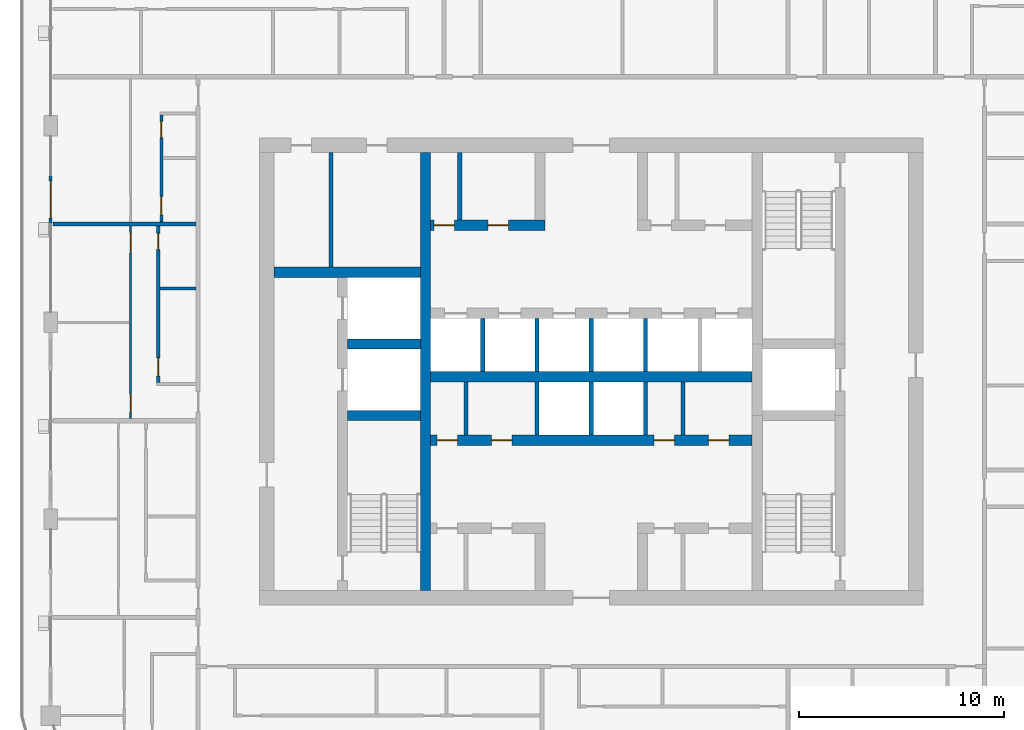
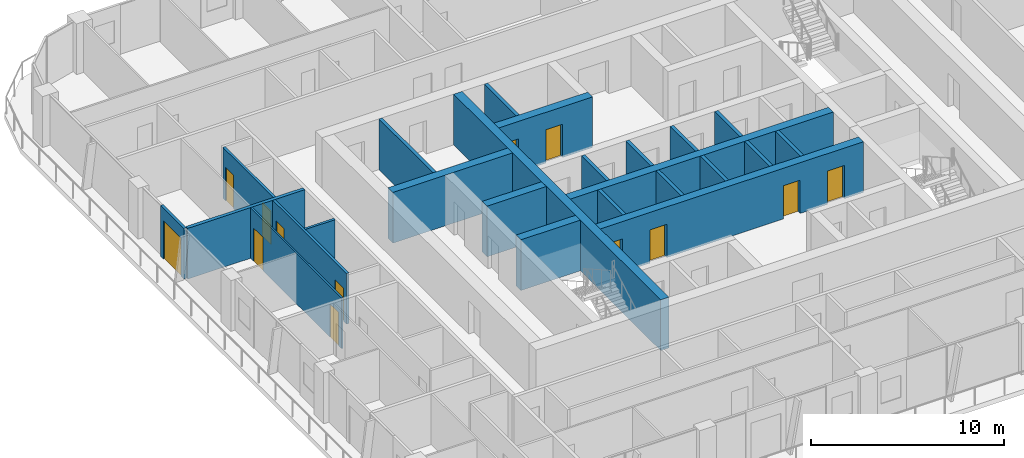
# One storey, part 11 of 23: 24 walls, 13 doors, 13 openings.
"""IFC4 building model written with IfcOpenShell, lengths in metres."""

from ifc_helpers import new_model, si_unit, direction, frame, frame_2d, origin, place, context, subcontext, project, spatial, rectangle, extrude, material, layer, layer_set, type_object, element, fill, save


model = new_model("IFC4")

# Units and contexts
model_context = context("Model", 3, precision=1e-05, world=origin(), true_north=direction((0.0, 1.0)))
body_context = subcontext(model_context, "Body", "Model", "MODEL_VIEW")
ifc_project = project(units=[si_unit("LENGTHUNIT", "METRE"), si_unit("AREAUNIT", "SQUARE_METRE"), si_unit("VOLUMEUNIT", "CUBIC_METRE"), si_unit("PLANEANGLEUNIT", "RADIAN"), si_unit("MASSUNIT", "GRAM", prefix="KILO")], contexts=[model_context])

# Site, building, storey
site_placement = place(None, origin())
site = spatial("IfcSite", under=ifc_project, at=site_placement, CompositionType="ELEMENT")
building_placement = place(site_placement, origin())
building = spatial("IfcBuilding", under=site, at=building_placement, Name="Madar Terraces", CompositionType="ELEMENT")
storey_placement = place(building_placement, frame((0.0, 0.0, 212.300048828125)))
storey = spatial("IfcBuildingStorey", under=building, at=storey_placement, Name="L55", CompositionType="ELEMENT", Elevation=212.300048828125)

# Walls
ifc_material_1 = material(Name="Concrete C60/75", Category="concrete")
ifc_layer_1 = layer(ifc_material_1, 0.5)
ifc_layer_set_1 = layer_set([ifc_layer_1], Name="Concrete C60/75 (CIW4 RC wall 500)")
wall_type_1 = type_object("IfcWallType", Name="CIW4 RC wall 500", PredefinedType="SHEAR", material=ifc_layer_set_1)
wall_1_placement = place(storey_placement, frame((23.10009765625, 15.699951171875, 0.0), z_axis=(0.0, 0.0, 1.0), x_axis=(0.0, 1.0, 0.0)))
element("IfcWall", 1, at=wall_1_placement, inside=storey, type_object=wall_type_1, Name="CORE SHAFT WALL", PredefinedType="SHEAR", context=body_context, shape_type="SweptSolid", body=[
    extrude(rectangle(XDim=21.400146484375, YDim=0.5, at=frame_2d((10.7001953125, 0.0))), origin(), (0.0, 0.0, 1.0), 3.199951171875),
])
for number, where, z_axis, x_axis, name in (
    (2, (19.300048828125, 24.25, 0.0), (0.0, 0.0, 1.0), (1.0, 0.0, 0.0), "CORE SHAFT WALL"),
    (3, (19.300048828125, 27.75, 0.0), (0.0, 0.0, 1.0), (1.0, 0.0, 0.0), "CORE SHAFT WALL"),
):
    element("IfcWall", number, at=place(storey_placement, frame(where, z_axis=z_axis, x_axis=x_axis)), inside=storey, type_object=wall_type_1, Name=name, PredefinedType="SHEAR", context=body_context, shape_type="SweptSolid", body=[
        extrude(rectangle(XDim=3.550048828125, YDim=0.5, at=frame_2d((1.77490234375, 0.0))), origin(), (0.0, 0.0, 1.0), 3.199951171875),
    ])
wall_2_placement = place(storey_placement, frame((15.699951171875, 31.25, 0.0), z_axis=(0.0, 0.0, 1.0), x_axis=(1.0, 0.0, 0.0)))
element("IfcWall", 4, at=wall_2_placement, inside=storey, type_object=wall_type_1, Name="CORE SHAFT WALL", PredefinedType="SHEAR", context=body_context, shape_type="SweptSolid", body=[
    extrude(rectangle(XDim=7.150146484375, YDim=0.5, at=frame_2d((3.5751953125, 0.0))), origin(), (0.0, 0.0, 1.0), 3.199951171875),
])

# Wall, openings, doors
wall_3_placement = place(storey_placement, frame((23.35009765625, 23.050048828125, 0.0), z_axis=(0.0, 0.0, 1.0), x_axis=(1.0, 0.0, 0.0)))
wall_3 = element("IfcWall", 5, at=wall_3_placement, inside=storey, type_object=wall_type_1, Name="CORE SHAFT WALL", PredefinedType="SHEAR", context=body_context, shape_type="SweptSolid", body=[
    extrude(rectangle(XDim=15.699951171875, YDim=0.5, at=frame_2d((7.85009765625, 0.0))), origin(), (0.0, 0.0, 1.0), 3.199951171875),
])
opening_1_placement = place(wall_3_placement, frame((0.31689453125, 0.0, 0.0)))
opening_1 = element("IfcOpeningElement", 6, at=opening_1_placement, cuts=wall_3, Name="Opening KD2", PredefinedType="OPENING", context=body_context, shape_type="SweptSolid", body=[
    extrude(rectangle(XDim=1.0, YDim=2.10009765625, at=frame_2d((0.5, 1.050048828125))), frame((0.0, 0.260009765625, 0.0), z_axis=(0.0, -1.0, 0.0), x_axis=(1.0, 0.0, 0.0)), (0.0, 0.0, 1.0), 0.52001953125),
])
opening_2_placement = place(wall_3_placement, frame((2.967041015625, 0.0, 0.0)))
opening_2 = element("IfcOpeningElement", 7, at=opening_2_placement, cuts=wall_3, Name="Opening KD2", PredefinedType="OPENING", context=body_context, shape_type="SweptSolid", body=[
    extrude(rectangle(XDim=1.0, YDim=2.10009765625, at=frame_2d((0.5, 1.050048828125))), frame((0.0, 0.260009765625, 0.0), z_axis=(0.0, -1.0, 0.0), x_axis=(1.0, 0.0, 0.0)), (0.0, 0.0, 1.0), 0.52001953125),
])
opening_3_placement = place(wall_3_placement, frame((10.9169921875, 0.0, 0.0)))
opening_3 = element("IfcOpeningElement", 8, at=opening_3_placement, cuts=wall_3, Name="Opening KD2", PredefinedType="OPENING", context=body_context, shape_type="SweptSolid", body=[
    extrude(rectangle(XDim=1.0, YDim=2.10009765625, at=frame_2d((0.5, 1.050048828125))), frame((0.0, 0.260009765625, 0.0), z_axis=(0.0, -1.0, 0.0), x_axis=(1.0, 0.0, 0.0)), (0.0, 0.0, 1.0), 0.52001953125),
])
opening_4_placement = place(wall_3_placement, frame((13.56689453125, 0.0, 0.0)))
opening_4 = element("IfcOpeningElement", 9, at=opening_4_placement, cuts=wall_3, Name="Opening KD2", PredefinedType="OPENING", context=body_context, shape_type="SweptSolid", body=[
    extrude(rectangle(XDim=1.0, YDim=2.10009765625, at=frame_2d((0.5, 1.050048828125))), frame((0.0, 0.260009765625, 0.0), z_axis=(0.0, -1.0, 0.0), x_axis=(1.0, 0.0, 0.0)), (0.0, 0.0, 1.0), 0.52001953125),
])
ifc_material_2 = material(Name="Steel door leaf", Category="steel")
door_type_1 = type_object("IfcDoorType", Name="Service room door 1000 x 2100", OperationType="NOTDEFINED", PredefinedType="DOOR", material=ifc_material_2)
door_1_placement = place(opening_1_placement, frame((1.0, 0.0, 0.0), z_axis=(0.0, 0.0, 1.0), x_axis=(-1.0, 0.0, 0.0)))
door_1 = element("IfcDoor", 10, at=door_1_placement, inside=storey, type_object=door_type_1, Name="SERVICE ROOM DOOR", OperationType="SINGLE_SWING_RIGHT", OverallHeight=2.10009765625, OverallWidth=1.0, PredefinedType="DOOR", context=body_context, shape_type="SweptSolid", body=[
    extrude(rectangle(XDim=1.0, YDim=2.10009765625, at=frame_2d((0.5, 1.050048828125))), frame((0.0, 0.02490234375, 0.0), z_axis=(0.0, -1.0, 0.0), x_axis=(1.0, 0.0, 0.0)), (0.0, 0.0, 1.0), 0.050048828125),
])
fill(opening_1, door_1)
door_2_placement = place(opening_2_placement, frame((1.0, 0.0, 0.0), z_axis=(0.0, 0.0, 1.0), x_axis=(-1.0, 0.0, 0.0)))
door_2 = element("IfcDoor", 11, at=door_2_placement, inside=storey, type_object=door_type_1, Name="SERVICE ROOM DOOR", OperationType="SINGLE_SWING_LEFT", OverallHeight=2.10009765625, OverallWidth=1.0, PredefinedType="DOOR", context=body_context, shape_type="SweptSolid", body=[
    extrude(rectangle(XDim=1.0, YDim=2.10009765625, at=frame_2d((0.5, 1.050048828125))), frame((0.0, 0.02490234375, 0.0), z_axis=(0.0, -1.0, 0.0), x_axis=(1.0, 0.0, 0.0)), (0.0, 0.0, 1.0), 0.050048828125),
])
fill(opening_2, door_2)
door_3_placement = place(opening_3_placement, frame((1.0, 0.0, 0.0), z_axis=(0.0, 0.0, 1.0), x_axis=(-1.0, 0.0, 0.0)))
door_3 = element("IfcDoor", 12, at=door_3_placement, inside=storey, type_object=door_type_1, Name="SERVICE ROOM DOOR", OperationType="SINGLE_SWING_RIGHT", OverallHeight=2.10009765625, OverallWidth=1.0, PredefinedType="DOOR", context=body_context, shape_type="SweptSolid", body=[
    extrude(rectangle(XDim=1.0, YDim=2.10009765625, at=frame_2d((0.5, 1.050048828125))), frame((0.0, 0.02490234375, 0.0), z_axis=(0.0, -1.0, 0.0), x_axis=(1.0, 0.0, 0.0)), (0.0, 0.0, 1.0), 0.050048828125),
])
fill(opening_3, door_3)
door_4_placement = place(opening_4_placement, frame((1.0, 0.0, 0.0), z_axis=(0.0, 0.0, 1.0), x_axis=(-1.0, 0.0, 0.0)))
door_4 = element("IfcDoor", 13, at=door_4_placement, inside=storey, type_object=door_type_1, Name="SERVICE ROOM DOOR", OperationType="SINGLE_SWING_LEFT", OverallHeight=2.10009765625, OverallWidth=1.0, PredefinedType="DOOR", context=body_context, shape_type="SweptSolid", body=[
    extrude(rectangle(XDim=1.0, YDim=2.10009765625, at=frame_2d((0.5, 1.050048828125))), frame((0.0, 0.02490234375, 0.0), z_axis=(0.0, -1.0, 0.0), x_axis=(1.0, 0.0, 0.0)), (0.0, 0.0, 1.0), 0.050048828125),
])
fill(opening_4, door_4)

# Wall
wall_4_placement = place(storey_placement, frame((23.35009765625, 26.14990234375, 0.0), z_axis=(0.0, 0.0, 1.0), x_axis=(1.0, 0.0, 0.0)))
element("IfcWall", 14, at=wall_4_placement, inside=storey, type_object=wall_type_1, Name="CORE SHAFT WALL", PredefinedType="SHEAR", context=body_context, shape_type="SweptSolid", body=[
    extrude(rectangle(XDim=15.699951171875, YDim=0.5, at=frame_2d((7.85009765625, 0.0))), origin(), (0.0, 0.0, 1.0), 3.199951171875),
])

# Wall, openings, doors
wall_5_placement = place(storey_placement, frame((23.35009765625, 33.550048828125, 0.0), z_axis=(0.0, 0.0, 1.0), x_axis=(1.0, 0.0, 0.0)))
wall_5 = element("IfcWall", 15, at=wall_5_placement, inside=storey, type_object=wall_type_1, Name="CORE SHAFT WALL", PredefinedType="SHEAR", context=body_context, shape_type="SweptSolid", body=[
    extrude(rectangle(XDim=5.599853515625, YDim=0.5, at=frame_2d((2.7998046875, 0.0))), origin(), (0.0, 0.0, 1.0), 3.199951171875),
])
opening_5_placement = place(wall_5_placement, frame((0.1640625, 0.0, 0.0)))
opening_5 = element("IfcOpeningElement", 16, at=opening_5_placement, cuts=wall_5, Name="Opening KD2", PredefinedType="OPENING", context=body_context, shape_type="SweptSolid", body=[
    extrude(rectangle(XDim=1.0, YDim=2.10009765625, at=frame_2d((0.5, 1.050048828125))), frame((0.0, 0.260009765625, 0.0), z_axis=(0.0, -1.0, 0.0), x_axis=(1.0, 0.0, 0.0)), (0.0, 0.0, 1.0), 0.52001953125),
])
opening_6_placement = place(wall_5_placement, frame((2.81396484375, 0.0, 0.0)))
opening_6 = element("IfcOpeningElement", 17, at=opening_6_placement, cuts=wall_5, Name="Opening KD2", PredefinedType="OPENING", context=body_context, shape_type="SweptSolid", body=[
    extrude(rectangle(XDim=1.0, YDim=2.10009765625, at=frame_2d((0.5, 1.050048828125))), frame((0.0, 0.260009765625, 0.0), z_axis=(0.0, -1.0, 0.0), x_axis=(1.0, 0.0, 0.0)), (0.0, 0.0, 1.0), 0.52001953125),
])
door_5_placement = place(opening_5_placement, frame((1.0, 0.0, 0.0), z_axis=(0.0, 0.0, 1.0), x_axis=(-1.0, 0.0, 0.0)))
door_5 = element("IfcDoor", 18, at=door_5_placement, inside=storey, type_object=door_type_1, Name="SERVICE ROOM DOOR", OperationType="SINGLE_SWING_RIGHT", OverallHeight=2.10009765625, OverallWidth=1.0, PredefinedType="DOOR", context=body_context, shape_type="SweptSolid", body=[
    extrude(rectangle(XDim=1.0, YDim=2.10009765625, at=frame_2d((0.5, 1.050048828125))), frame((0.0, 0.02490234375, 0.0), z_axis=(0.0, -1.0, 0.0), x_axis=(1.0, 0.0, 0.0)), (0.0, 0.0, 1.0), 0.050048828125),
])
fill(opening_5, door_5)
door_6_placement = place(opening_6_placement, frame((1.0, 0.0, 0.0), z_axis=(0.0, 0.0, 1.0), x_axis=(-1.0, 0.0, 0.0)))
door_6 = element("IfcDoor", 19, at=door_6_placement, inside=storey, type_object=door_type_1, Name="SERVICE ROOM DOOR", OperationType="SINGLE_SWING_LEFT", OverallHeight=2.10009765625, OverallWidth=1.0, PredefinedType="DOOR", context=body_context, shape_type="SweptSolid", body=[
    extrude(rectangle(XDim=1.0, YDim=2.10009765625, at=frame_2d((0.5, 1.050048828125))), frame((0.0, 0.02490234375, 0.0), z_axis=(0.0, -1.0, 0.0), x_axis=(1.0, 0.0, 0.0)), (0.0, 0.0, 1.0), 0.050048828125),
])
fill(opening_6, door_6)

# Walls
ifc_material_3 = material(Name="Masonry blockwork", Category="masonry")
ifc_layer_2 = layer(ifc_material_3, 0.199951171875)
ifc_layer_set_2 = layer_set([ifc_layer_2], Name="Core partition 200 blockwork")
wall_type_2 = type_object("IfcWallType", Name="Core partition 200 blockwork", PredefinedType="PARTITIONING", material=ifc_layer_set_2)
wall_6_placement = place(storey_placement, frame((18.488525390625, 31.5, 0.0), z_axis=(0.0, 0.0, 1.0), x_axis=(0.0, 1.0, 0.0)))
element("IfcWall", 20, at=wall_6_placement, inside=storey, type_object=wall_type_2, Name="SERVICE ROOM PARTITION", PredefinedType="PARTITIONING", context=body_context, shape_type="SweptSolid", body=[
    extrude(rectangle(XDim=5.60009765625, YDim=0.199951171875, at=frame_2d((2.800048828125, 0.0))), origin(), (0.0, 0.0, 1.0), 3.199951171875),
])
for number, where, z_axis, x_axis, name in (
    (21, (25.083984375, 23.300048828125, 0.0), (0.0, 0.0, 1.0), (0.0, 1.0, 0.0), "SERVICE ROOM PARTITION"),
    (22, (35.68408203125, 23.300048828125, 0.0), (0.0, 0.0, 1.0), (0.0, 1.0, 0.0), "SERVICE ROOM PARTITION"),
):
    element("IfcWall", number, at=place(storey_placement, frame(where, z_axis=z_axis, x_axis=x_axis)), inside=storey, type_object=wall_type_2, Name=name, PredefinedType="PARTITIONING", context=body_context, shape_type="SweptSolid", body=[
        extrude(rectangle(XDim=2.599853515625, YDim=0.199951171875, at=frame_2d((1.2998046875, 0.0))), origin(), (0.0, 0.0, 1.0), 3.199951171875),
    ])
wall_7_placement = place(storey_placement, frame((24.778076171875, 33.800048828125, 0.0), z_axis=(0.0, 0.0, 1.0), x_axis=(0.0, 1.0, 0.0)))
element("IfcWall", 23, at=wall_7_placement, inside=storey, type_object=wall_type_2, Name="SERVICE ROOM PARTITION", PredefinedType="PARTITIONING", context=body_context, shape_type="SweptSolid", body=[
    extrude(rectangle(XDim=3.300048828125, YDim=0.199951171875, at=frame_2d((1.64990234375, 0.0))), origin(), (0.0, 0.0, 1.0), 3.199951171875),
])
ifc_material_4 = material(Name="Concrete C40/50", Category="concrete")
ifc_layer_3 = layer(ifc_material_4, 0.199951171875)
ifc_layer_set_3 = layer_set([ifc_layer_3], Name="Core shaft dividing wall 200 C40/50")
wall_type_3 = type_object("IfcWallType", Name="Core shaft dividing wall 200 C40/50", PredefinedType="SOLIDWALL", material=ifc_layer_set_3)
wall_8_placement = place(storey_placement, frame((25.89990234375, 26.39990234375, 0.0), z_axis=(0.0, 0.0, 1.0), x_axis=(0.0, 1.0, 0.0)))
element("IfcWall", 24, at=wall_8_placement, inside=storey, type_object=wall_type_3, Name="SHAFT DIVIDING WALL", PredefinedType="SOLIDWALL", context=body_context, shape_type="SweptSolid", body=[
    extrude(rectangle(XDim=2.60009765625, YDim=0.199951171875, at=frame_2d((1.300048828125, 0.0))), origin(), (0.0, 0.0, 1.0), 3.199951171875),
])
wall_9_placement = place(storey_placement, frame((28.550048828125, 23.300048828125, 0.0), z_axis=(0.0, 0.0, 1.0), x_axis=(0.0, 1.0, 0.0)))
element("IfcWall", 25, at=wall_9_placement, inside=storey, type_object=wall_type_3, Name="SHAFT DIVIDING WALL", PredefinedType="SOLIDWALL", context=body_context, shape_type="SweptSolid", body=[
    extrude(rectangle(XDim=2.599853515625, YDim=0.199951171875, at=frame_2d((1.2998046875, 0.0))), origin(), (0.0, 0.0, 1.0), 3.199951171875),
])
wall_10_placement = place(storey_placement, frame((28.550048828125, 26.39990234375, 0.0), z_axis=(0.0, 0.0, 1.0), x_axis=(0.0, 1.0, 0.0)))
element("IfcWall", 26, at=wall_10_placement, inside=storey, type_object=wall_type_3, Name="SHAFT DIVIDING WALL", PredefinedType="SOLIDWALL", context=body_context, shape_type="SweptSolid", body=[
    extrude(rectangle(XDim=2.60009765625, YDim=0.199951171875, at=frame_2d((1.300048828125, 0.0))), origin(), (0.0, 0.0, 1.0), 3.199951171875),
])
wall_11_placement = place(storey_placement, frame((31.199951171875, 23.300048828125, 0.0), z_axis=(0.0, 0.0, 1.0), x_axis=(0.0, 1.0, 0.0)))
element("IfcWall", 27, at=wall_11_placement, inside=storey, type_object=wall_type_3, Name="SHAFT DIVIDING WALL", PredefinedType="SOLIDWALL", context=body_context, shape_type="SweptSolid", body=[
    extrude(rectangle(XDim=2.599853515625, YDim=0.199951171875, at=frame_2d((1.2998046875, 0.0))), origin(), (0.0, 0.0, 1.0), 3.199951171875),
])
wall_12_placement = place(storey_placement, frame((31.199951171875, 26.39990234375, 0.0), z_axis=(0.0, 0.0, 1.0), x_axis=(0.0, 1.0, 0.0)))
element("IfcWall", 28, at=wall_12_placement, inside=storey, type_object=wall_type_3, Name="SHAFT DIVIDING WALL", PredefinedType="SOLIDWALL", context=body_context, shape_type="SweptSolid", body=[
    extrude(rectangle(XDim=2.60009765625, YDim=0.199951171875, at=frame_2d((1.300048828125, 0.0))), origin(), (0.0, 0.0, 1.0), 3.199951171875),
])
wall_13_placement = place(storey_placement, frame((33.85009765625, 23.300048828125, 0.0), z_axis=(0.0, 0.0, 1.0), x_axis=(0.0, 1.0, 0.0)))
element("IfcWall", 29, at=wall_13_placement, inside=storey, type_object=wall_type_3, Name="SHAFT DIVIDING WALL", PredefinedType="SOLIDWALL", context=body_context, shape_type="SweptSolid", body=[
    extrude(rectangle(XDim=2.599853515625, YDim=0.199951171875, at=frame_2d((1.2998046875, 0.0))), origin(), (0.0, 0.0, 1.0), 3.199951171875),
])
wall_14_placement = place(storey_placement, frame((33.85009765625, 26.39990234375, 0.0), z_axis=(0.0, 0.0, 1.0), x_axis=(0.0, 1.0, 0.0)))
element("IfcWall", 30, at=wall_14_placement, inside=storey, type_object=wall_type_3, Name="SHAFT DIVIDING WALL", PredefinedType="SOLIDWALL", context=body_context, shape_type="SweptSolid", body=[
    extrude(rectangle(XDim=2.60009765625, YDim=0.199951171875, at=frame_2d((1.300048828125, 0.0))), origin(), (0.0, 0.0, 1.0), 3.199951171875),
])

# Wall, opening, door
ifc_material_5 = material(Name="Aluminium composite panel, black, over insulated backing", Category="aluminium")
ifc_layer_4 = layer(ifc_material_5, 0.14990234375)
ifc_layer_set_4 = layer_set([ifc_layer_4], Name="Facade bay panel 150")
wall_type_4 = type_object("IfcWallType", Name="Facade bay panel 150", PredefinedType="SOLIDWALL", material=ifc_layer_set_4)
wall_15_placement = place(storey_placement, frame((4.800048828125, 36.0, 0.0), z_axis=(0.0, 0.0, 1.0), x_axis=(0.0, -1.0, 0.0)))
wall_15 = element("IfcWall", 31, at=wall_15_placement, inside=storey, type_object=wall_type_4, Name="Facade bay panel", PredefinedType="SOLIDWALL", context=body_context, shape_type="SweptSolid", body=[
    extrude(rectangle(XDim=2.39990234375, YDim=0.14990234375, at=frame_2d((1.199951171875, 0.0))), origin(), (0.0, 0.0, 1.0), 3.199951171875),
])
opening_7_placement = place(wall_15_placement, frame((0.300048828125, 0.0, 0.0)))
opening_7 = element("IfcOpeningElement", 32, at=opening_7_placement, cuts=wall_15, Name="Opening ED1", PredefinedType="OPENING", context=body_context, shape_type="SweptSolid", body=[
    extrude(rectangle(XDim=1.800048828125, YDim=2.39990234375, at=frame_2d((0.89990234375, 1.199951171875))), frame((0.0, 0.0849609375, 0.0), z_axis=(0.0, -1.0, 0.0), x_axis=(1.0, 0.0, 0.0)), (0.0, 0.0, 1.0), 0.169921875),
])
ifc_material_6 = material(Name="Glass, clear, with black aluminium frame", Category="aluminium")
door_type_2 = type_object("IfcDoorType", Name="Balcony and terrace sliding door 1800 x 2400", OperationType="SLIDING_TO_LEFT", PredefinedType="DOOR", material=ifc_material_6)
door_7_placement = place(opening_7_placement, origin())
door_7 = element("IfcDoor", 33, at=door_7_placement, inside=storey, type_object=door_type_2, Name="Balcony door", OperationType="SLIDING_TO_LEFT", OverallHeight=2.39990234375, OverallWidth=1.800048828125, PredefinedType="DOOR", context=body_context, shape_type="SweptSolid", body=[
    extrude(rectangle(XDim=1.800048828125, YDim=2.39990234375, at=frame_2d((0.89990234375, 1.199951171875))), frame((0.0, 0.02490234375, 0.0), z_axis=(0.0, -1.0, 0.0), x_axis=(1.0, 0.0, 0.0)), (0.0, 0.0, 1.0), 0.050048828125),
])
fill(opening_7, door_7)

# Wall, openings, doors
ifc_material_7 = material(Name="Gypsum board on steel studs", Category="steel")
ifc_layer_5 = layer(ifc_material_7, 0.10009765625)
ifc_layer_set_5 = layer_set([ifc_layer_5], Name="Flat partition 100")
wall_type_5 = type_object("IfcWallType", Name="Flat partition 100", PredefinedType="PARTITIONING", material=ifc_layer_set_5)
wall_16_placement = place(storey_placement, frame((8.699951171875, 24.10009765625, 0.0), z_axis=(0.0, 0.0, 1.0), x_axis=(0.0, 1.0, 0.0)))
wall_16 = element("IfcWall", 34, at=wall_16_placement, inside=storey, type_object=wall_type_5, Name="Flat partition 100", PredefinedType="PARTITIONING", context=body_context, shape_type="SweptSolid", body=[
    extrude(rectangle(XDim=9.39990234375, YDim=0.10009765625, at=frame_2d((4.699951171875, 0.0))), origin(), (0.0, 0.0, 1.0), 3.199951171875),
])
opening_8_placement = place(wall_16_placement, frame((0.300048828125, 0.0, 0.0)))
opening_8 = element("IfcOpeningElement", 35, at=opening_8_placement, cuts=wall_16, Name="Opening D2", PredefinedType="OPENING", context=body_context, shape_type="SweptSolid", body=[
    extrude(rectangle(XDim=0.89990234375, YDim=2.10009765625, at=frame_2d((0.449951171875, 1.050048828125))), frame((0.0, 0.06005859375, 0.0), z_axis=(0.0, -1.0, 0.0), x_axis=(1.0, 0.0, 0.0)), (0.0, 0.0, 1.0), 0.1201171875),
])
opening_9_placement = place(wall_16_placement, frame((8.10009765625, 0.0, 0.0)))
opening_9 = element("IfcOpeningElement", 36, at=opening_9_placement, cuts=wall_16, Name="Opening D3", PredefinedType="OPENING", context=body_context, shape_type="SweptSolid", body=[
    extrude(rectangle(XDim=1.0, YDim=2.10009765625, at=frame_2d((0.5, 1.050048828125))), frame((0.0, 0.06005859375, 0.0), z_axis=(0.0, -1.0, 0.0), x_axis=(1.0, 0.0, 0.0)), (0.0, 0.0, 1.0), 0.1201171875),
])
ifc_material_8 = material(Name="Timber door leaf", Category="wood")
door_type_3 = type_object("IfcDoorType", Name="Flat living room door 1000", OperationType="NOTDEFINED", PredefinedType="DOOR", material=ifc_material_8)
door_8_placement = place(opening_9_placement, origin())
door_8 = element("IfcDoor", 37, at=door_8_placement, inside=storey, type_object=door_type_3, Name="Flat living room door 1000", OperationType="SINGLE_SWING_RIGHT", OverallHeight=2.10009765625, OverallWidth=1.0, PredefinedType="DOOR", context=body_context, shape_type="SweptSolid", body=[
    extrude(rectangle(XDim=1.0, YDim=2.10009765625, at=frame_2d((0.5, 1.050048828125))), frame((0.0, 0.02490234375, 0.0), z_axis=(0.0, -1.0, 0.0), x_axis=(1.0, 0.0, 0.0)), (0.0, 0.0, 1.0), 0.050048828125),
])
fill(opening_9, door_8)
ifc_material_9 = material(Name="Timber door leaf", Category="wood")
door_type_4 = type_object("IfcDoorType", Name="Flat room door 900", OperationType="NOTDEFINED", PredefinedType="DOOR", material=ifc_material_9)
door_9_placement = place(opening_8_placement, origin())
door_9 = element("IfcDoor", 38, at=door_9_placement, inside=storey, type_object=door_type_4, Name="Flat room door 900", OperationType="SINGLE_SWING_LEFT", OverallHeight=2.10009765625, OverallWidth=0.89990234375, PredefinedType="DOOR", context=body_context, shape_type="SweptSolid", body=[
    extrude(rectangle(XDim=0.89990234375, YDim=2.10009765625, at=frame_2d((0.449951171875, 1.050048828125))), frame((0.0, 0.02490234375, 0.0), z_axis=(0.0, -1.0, 0.0), x_axis=(1.0, 0.0, 0.0)), (0.0, 0.0, 1.0), 0.050048828125),
])
fill(opening_8, door_9)

# Wall
ifc_material_10 = material(Name="Lightweight blockwork", Category="masonry")
ifc_layer_6 = layer(ifc_material_10, 0.199951171875)
ifc_layer_set_6 = layer_set([ifc_layer_6], Name="Flat party and entrance wall 200")
wall_type_6 = type_object("IfcWallType", Name="Flat party and entrance wall 200", PredefinedType="PARTITIONING", material=ifc_layer_set_6)
wall_17_placement = place(storey_placement, frame((4.89990234375, 33.60009765625, 0.0), z_axis=(0.0, 0.0, 1.0), x_axis=(1.0, 0.0, 0.0)))
element("IfcWall", 39, at=wall_17_placement, inside=storey, type_object=wall_type_6, Name="Flat party and entrance wall 200", PredefinedType="PARTITIONING", context=body_context, shape_type="SweptSolid", body=[
    extrude(rectangle(XDim=7.0, YDim=0.199951171875, at=frame_2d((3.5, 0.0))), origin(), (0.0, 0.0, 1.0), 3.199951171875),
])

# Wall, openings, doors
ifc_material_11 = material(Name="Lightweight blockwork", Category="masonry")
ifc_layer_7 = layer(ifc_material_11, 0.14990234375)
ifc_layer_set_7 = layer_set([ifc_layer_7], Name="Flat wet-room partition 150")
wall_type_7 = type_object("IfcWallType", Name="Flat wet-room partition 150", PredefinedType="PARTITIONING", material=ifc_layer_set_7)
wall_18_placement = place(storey_placement, frame((10.199951171875, 38.925048828125, 0.0), z_axis=(0.0, 0.0, 1.0), x_axis=(0.0, -1.0, 0.0)))
wall_18 = element("IfcWall", 40, at=wall_18_placement, inside=storey, type_object=wall_type_7, Name="Flat wet-room partition 150", PredefinedType="PARTITIONING", context=body_context, shape_type="SweptSolid", body=[
    extrude(rectangle(XDim=5.22509765625, YDim=0.14990234375, at=frame_2d((2.612548828125, 0.0))), origin(), (0.0, 0.0, 1.0), 3.199951171875),
])
opening_10_placement = place(wall_18_placement, frame((0.300048828125, 0.0, 0.0)))
opening_10 = element("IfcOpeningElement", 41, at=opening_10_placement, cuts=wall_18, Name="Opening D4", PredefinedType="OPENING", context=body_context, shape_type="SweptSolid", body=[
    extrude(rectangle(XDim=0.800048828125, YDim=2.10009765625, at=frame_2d((0.39990234375, 1.050048828125))), frame((0.0, 0.0849609375, 0.0), z_axis=(0.0, -1.0, 0.0), x_axis=(1.0, 0.0, 0.0)), (0.0, 0.0, 1.0), 0.169921875),
])
opening_11_placement = place(wall_18_placement, frame((3.97509765625, 0.0, 0.0)))
opening_11 = element("IfcOpeningElement", 42, at=opening_11_placement, cuts=wall_18, Name="Opening D2", PredefinedType="OPENING", context=body_context, shape_type="SweptSolid", body=[
    extrude(rectangle(XDim=0.89990234375, YDim=2.10009765625, at=frame_2d((0.449951171875, 1.050048828125))), frame((0.0, 0.0849609375, 0.0), z_axis=(0.0, -1.0, 0.0), x_axis=(1.0, 0.0, 0.0)), (0.0, 0.0, 1.0), 0.169921875),
])
ifc_material_12 = material(Name="Timber door leaf", Category="wood")
door_type_5 = type_object("IfcDoorType", Name="Flat bathroom door 800", OperationType="NOTDEFINED", PredefinedType="DOOR", material=ifc_material_12)
door_10_placement = place(opening_10_placement, origin())
door_10 = element("IfcDoor", 43, at=door_10_placement, inside=storey, type_object=door_type_5, Name="Flat bathroom door 800", OperationType="SINGLE_SWING_LEFT", OverallHeight=2.10009765625, OverallWidth=0.800048828125, PredefinedType="DOOR", context=body_context, shape_type="SweptSolid", body=[
    extrude(rectangle(XDim=0.800048828125, YDim=2.10009765625, at=frame_2d((0.39990234375, 1.050048828125))), frame((0.0, 0.02490234375, 0.0), z_axis=(0.0, -1.0, 0.0), x_axis=(1.0, 0.0, 0.0)), (0.0, 0.0, 1.0), 0.050048828125),
])
fill(opening_10, door_10)
door_11_placement = place(opening_11_placement, origin())
door_11 = element("IfcDoor", 44, at=door_11_placement, inside=storey, type_object=door_type_4, Name="Flat room door 900", OperationType="SINGLE_SWING_RIGHT", OverallHeight=2.10009765625, OverallWidth=0.89990234375, PredefinedType="DOOR", context=body_context, shape_type="SweptSolid", body=[
    extrude(rectangle(XDim=0.89990234375, YDim=2.10009765625, at=frame_2d((0.449951171875, 1.050048828125))), frame((0.0, 0.02490234375, 0.0), z_axis=(0.0, -1.0, 0.0), x_axis=(1.0, 0.0, 0.0)), (0.0, 0.0, 1.0), 0.050048828125),
])
fill(opening_11, door_11)

# Wall
wall_19_placement = place(storey_placement, frame((11.89990234375, 30.449951171875, 0.0), z_axis=(0.0, 0.0, 1.0), x_axis=(-1.0, 0.0, 0.0)))
element("IfcWall", 45, at=wall_19_placement, inside=storey, type_object=wall_type_7, Name="Flat wet-room partition 150", PredefinedType="PARTITIONING", context=body_context, shape_type="SweptSolid", body=[
    extrude(rectangle(XDim=1.77490234375, YDim=0.14990234375, at=frame_2d((0.887451171875, 0.0))), origin(), (0.0, 0.0, 1.0), 3.199951171875),
])

# Wall, openings, doors
wall_20_placement = place(storey_placement, frame((10.050048828125, 33.5, 0.0), z_axis=(0.0, 0.0, 1.0), x_axis=(0.0, -1.0, 0.0)))
wall_20 = element("IfcWall", 46, at=wall_20_placement, inside=storey, type_object=wall_type_7, Name="Flat wet-room partition 150", PredefinedType="PARTITIONING", context=body_context, shape_type="SweptSolid", body=[
    extrude(rectangle(XDim=7.625, YDim=0.14990234375, at=frame_2d((3.8125, 0.0))), origin(), (0.0, 0.0, 1.0), 3.199951171875),
])
opening_12_placement = place(wall_20_placement, frame((6.425048828125, 0.0, 0.0)))
opening_12 = element("IfcOpeningElement", 47, at=opening_12_placement, cuts=wall_20, Name="Opening D2", PredefinedType="OPENING", context=body_context, shape_type="SweptSolid", body=[
    extrude(rectangle(XDim=0.89990234375, YDim=2.10009765625, at=frame_2d((0.449951171875, 1.050048828125))), frame((0.0, 0.0849609375, 0.0), z_axis=(0.0, -1.0, 0.0), x_axis=(1.0, 0.0, 0.0)), (0.0, 0.0, 1.0), 0.169921875),
])
opening_13_placement = place(wall_20_placement, frame((0.35009765625, 0.0, 0.0)))
opening_13 = element("IfcOpeningElement", 48, at=opening_13_placement, cuts=wall_20, Name="Opening D4", PredefinedType="OPENING", context=body_context, shape_type="SweptSolid", body=[
    extrude(rectangle(XDim=0.800048828125, YDim=2.10009765625, at=frame_2d((0.39990234375, 1.050048828125))), frame((0.0, 0.0849609375, 0.0), z_axis=(0.0, -1.0, 0.0), x_axis=(1.0, 0.0, 0.0)), (0.0, 0.0, 1.0), 0.169921875),
])
door_12_placement = place(opening_13_placement, origin())
door_12 = element("IfcDoor", 49, at=door_12_placement, inside=storey, type_object=door_type_5, Name="Flat bathroom door 800", OperationType="SINGLE_SWING_LEFT", OverallHeight=2.10009765625, OverallWidth=0.800048828125, PredefinedType="DOOR", context=body_context, shape_type="SweptSolid", body=[
    extrude(rectangle(XDim=0.800048828125, YDim=2.10009765625, at=frame_2d((0.39990234375, 1.050048828125))), frame((0.0, 0.02490234375, 0.0), z_axis=(0.0, -1.0, 0.0), x_axis=(1.0, 0.0, 0.0)), (0.0, 0.0, 1.0), 0.050048828125),
])
fill(opening_13, door_12)
door_13_placement = place(opening_12_placement, origin())
door_13 = element("IfcDoor", 50, at=door_13_placement, inside=storey, type_object=door_type_4, Name="Flat room door 900", OperationType="SINGLE_SWING_RIGHT", OverallHeight=2.10009765625, OverallWidth=0.89990234375, PredefinedType="DOOR", context=body_context, shape_type="SweptSolid", body=[
    extrude(rectangle(XDim=0.89990234375, YDim=2.10009765625, at=frame_2d((0.449951171875, 1.050048828125))), frame((0.0, 0.02490234375, 0.0), z_axis=(0.0, -1.0, 0.0), x_axis=(1.0, 0.0, 0.0)), (0.0, 0.0, 1.0), 0.050048828125),
])
fill(opening_12, door_13)

save(model, "model.ifc")
